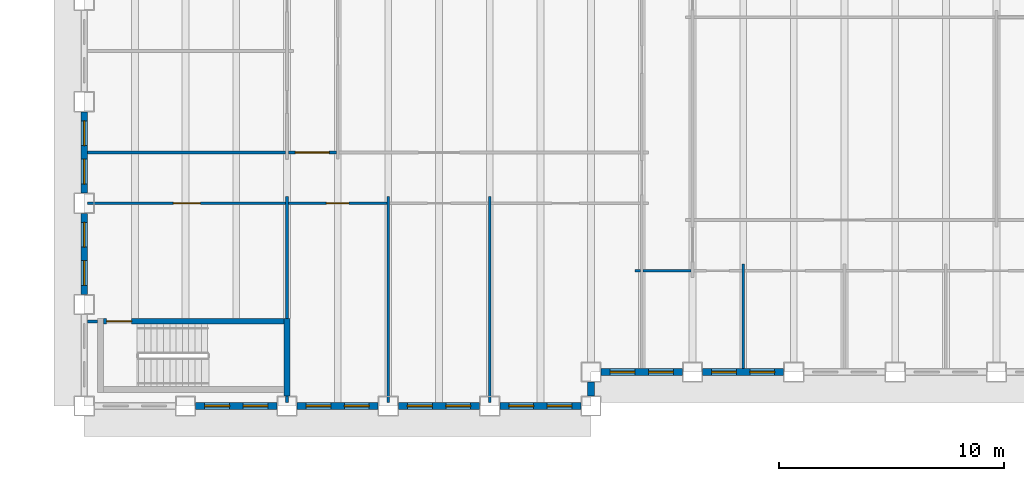
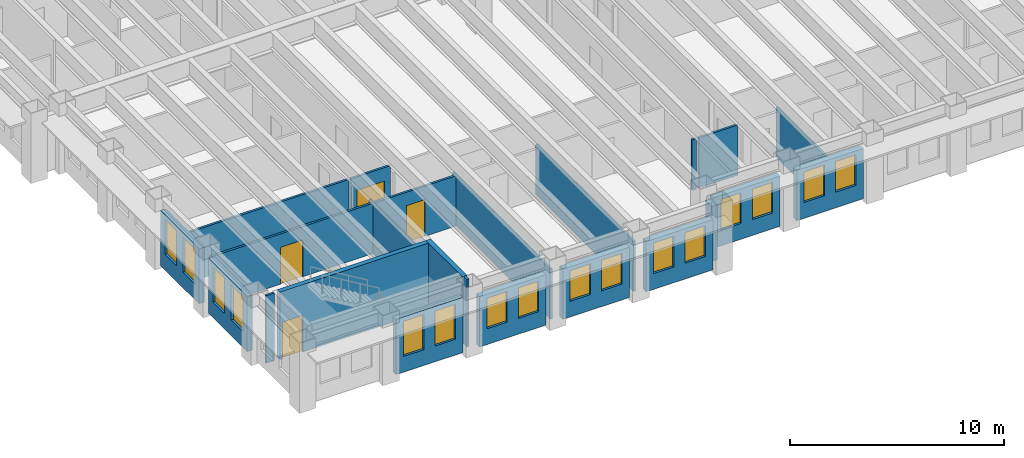
# One storey, part 3 of 16: 23 walls, 16 windows, 4 doors, 20 openings.
"""IFC4 building model written with IfcOpenShell, lengths in metres."""

from ifc_helpers import new_model, si_unit, direction, frame, frame_2d, origin, place, context, subcontext, project, spatial, rectangle, extrude, material, layer, layer_set, type_object, element, fill, save


model = new_model("IFC4")

# Units and contexts
model_context = context("Model", 3, precision=1e-05, world=origin(), true_north=direction((0.0, 1.0)))
body_context = subcontext(model_context, "Body", "Model", "MODEL_VIEW")
ifc_project = project(units=[si_unit("LENGTHUNIT", "METRE"), si_unit("AREAUNIT", "SQUARE_METRE"), si_unit("VOLUMEUNIT", "CUBIC_METRE"), si_unit("PLANEANGLEUNIT", "RADIAN"), si_unit("MASSUNIT", "GRAM", prefix="KILO")], contexts=[model_context])

# Site, building, storey
site_placement = place(None, origin())
site = spatial("IfcSite", under=ifc_project, at=site_placement, CompositionType="ELEMENT")
building_placement = place(site_placement, origin())
building = spatial("IfcBuilding", under=site, at=building_placement, Name="Sennacour Bend Tower", CompositionType="ELEMENT")
storey_placement = place(building_placement, frame((0.0, 0.0, 167.0)))
storey = spatial("IfcBuildingStorey", under=building, at=storey_placement, Name="L38", CompositionType="ELEMENT", Elevation=167.0)

# Walls
ifc_material_1 = material(Name="Plasterboard partition on steel studs", Category="steel")
ifc_layer_1 = layer(ifc_material_1, 0.1201171875, Name="Plasterboard partition on steel studs", Category="steel")
ifc_layer_set_1 = layer_set([ifc_layer_1], Name="Plasterboard partition on steel studs")
wall_type_1 = type_object("IfcWallType", Name="Partition 120", PredefinedType="PARTITIONING", material=ifc_layer_set_1)
wall_1_placement = place(storey_placement, frame((9.0, 0.14990234375, 0.0), z_axis=(0.0, 0.0, 1.0), x_axis=(0.0, 1.0, 0.0)))
element("IfcWall", 1, at=wall_1_placement, inside=storey, type_object=wall_type_1, Name="P-L38-W009a", PredefinedType="PARTITIONING", context=body_context, shape_type="SweptSolid", body=[
    extrude(rectangle(XDim=0.300048828125, YDim=0.1201171875, at=frame_2d((0.14990234375, 0.0))), origin(), (0.0, 0.0, 1.0), 3.85009765625),
])
wall_2_placement = place(storey_placement, frame((9.0, 3.875, 0.0), z_axis=(0.0, 0.0, 1.0), x_axis=(0.0, 1.0, 0.0)))
element("IfcWall", 2, at=wall_2_placement, inside=storey, type_object=wall_type_1, Name="P-L38-W011a", PredefinedType="PARTITIONING", context=body_context, shape_type="SweptSolid", body=[
    extrude(rectangle(XDim=5.425048828125, YDim=0.1201171875, at=frame_2d((2.71240234375, 0.0))), origin(), (0.0, 0.0, 1.0), 2.8701171875),
])
for number, where, z_axis, x_axis, name in (
    (3, (13.5, 0.14990234375, 0.0), (0.0, 0.0, 1.0), (0.0, 1.0, 0.0), "P-L38-W016a"),
    (4, (18.0, 0.14990234375, 0.0), (0.0, 0.0, 1.0), (0.0, 1.0, 0.0), "P-L38-W019a"),
):
    element("IfcWall", number, at=place(storey_placement, frame(where, z_axis=z_axis, x_axis=x_axis)), inside=storey, type_object=wall_type_1, Name=name, PredefinedType="PARTITIONING", context=body_context, shape_type="SweptSolid", body=[
        extrude(rectangle(XDim=9.150146484375, YDim=0.1201171875, at=frame_2d((4.5751953125, 0.0))), origin(), (0.0, 0.0, 1.0), 2.8701171875),
    ])
wall_3_placement = place(storey_placement, frame((29.25, 1.64990234375, 0.0), z_axis=(0.0, 0.0, 1.0), x_axis=(0.0, 1.0, 0.0)))
element("IfcWall", 5, at=wall_3_placement, inside=storey, type_object=wall_type_1, Name="P-L38-W026a", PredefinedType="PARTITIONING", context=body_context, shape_type="SweptSolid", body=[
    extrude(rectangle(XDim=4.650146484375, YDim=0.1201171875, at=frame_2d((2.3251953125, 0.0))), origin(), (0.0, 0.0, 1.0), 2.8701171875),
])
wall_4_placement = place(storey_placement, frame((0.14990234375, 3.75, 0.0), z_axis=(0.0, 0.0, 1.0), x_axis=(1.0, 0.0, 0.0)))
element("IfcWall", 6, at=wall_4_placement, inside=storey, type_object=wall_type_1, Name="P-L38-W054a", PredefinedType="PARTITIONING", context=body_context, shape_type="SweptSolid", body=[
    extrude(rectangle(XDim=0.4501953125, YDim=0.1201171875, at=frame_2d((0.22509765625, 0.0))), origin(), (0.0, 0.0, 1.0), 3.85009765625),
])
wall_5_placement = place(storey_placement, frame((24.449951171875, 6.0, 0.0), z_axis=(0.0, 0.0, 1.0), x_axis=(1.0, 0.0, 0.0)))
element("IfcWall", 7, at=wall_5_placement, inside=storey, type_object=wall_type_1, Name="P-L38-W058aa", PredefinedType="PARTITIONING", context=body_context, shape_type="SweptSolid", body=[
    extrude(rectangle(XDim=0.239990234375, YDim=0.1201171875, at=frame_2d((0.1201171875, 0.0))), origin(), (0.0, 0.0, 1.0), 2.8701171875),
])
wall_6_placement = place(storey_placement, frame((24.81005859375, 6.0, 0.0), z_axis=(0.0, 0.0, 1.0), x_axis=(1.0, 0.0, 0.0)))
element("IfcWall", 8, at=wall_6_placement, inside=storey, type_object=wall_type_1, Name="P-L38-W058ab", PredefinedType="PARTITIONING", context=body_context, shape_type="SweptSolid", body=[
    extrude(rectangle(XDim=2.1298828125, YDim=0.1201171875, at=frame_2d((1.06494140625, 0.0))), origin(), (0.0, 0.0, 1.0), 2.8701171875),
])

# Wall, opening, door
wall_7_placement = place(storey_placement, frame((9.06005859375, 9.0, 0.0), z_axis=(0.0, 0.0, 1.0), x_axis=(1.0, 0.0, 0.0)))
wall_7 = element("IfcWall", 9, at=wall_7_placement, inside=storey, type_object=wall_type_1, Name="P-L38-W061ab", PredefinedType="PARTITIONING", context=body_context, shape_type="SweptSolid", body=[
    extrude(rectangle(XDim=4.3798828125, YDim=0.1201171875, at=frame_2d((2.18994140625, 0.0))), origin(), (0.0, 0.0, 1.0), 2.8701171875),
])
opening_1_placement = place(wall_7_placement, frame((1.68994140625, 0.0, 0.0)))
opening_1 = element("IfcOpeningElement", 10, at=opening_1_placement, cuts=wall_7, Name="Opening OD2", PredefinedType="OPENING", context=body_context, shape_type="SweptSolid", body=[
    extrude(rectangle(XDim=1.0, YDim=2.10009765625, at=frame_2d((0.5, 1.050048828125))), frame((0.0, 0.070068359375, 0.0), z_axis=(0.0, -1.0, 0.0), x_axis=(1.0, 0.0, 0.0)), (0.0, 0.0, 1.0), 0.14013671875),
])
ifc_material_2 = material(Name="Timber", Category="wood")
door_type_1 = type_object("IfcDoorType", Name="DR-OFFICE-1000", OperationType="NOTDEFINED", PredefinedType="DOOR", material=ifc_material_2)
door_1_placement = place(opening_1_placement, origin())
door_1 = element("IfcDoor", 11, at=door_1_placement, inside=storey, type_object=door_type_1, Name="Door", OperationType="SINGLE_SWING_LEFT", OverallHeight=2.10009765625, OverallWidth=1.0, PredefinedType="DOOR", context=body_context, shape_type="SweptSolid", body=[
    extrude(rectangle(XDim=1.0, YDim=2.10009765625, at=frame_2d((0.5, 1.050048828125))), frame((0.0, 0.02490234375, 0.0), z_axis=(0.0, -1.0, 0.0), x_axis=(1.0, 0.0, 0.0)), (0.0, 0.0, 1.0), 0.050048828125),
])
fill(opening_1, door_1)

# Wall
wall_8_placement = place(storey_placement, frame((0.14990234375, 11.25, 0.0), z_axis=(0.0, 0.0, 1.0), x_axis=(1.0, 0.0, 0.0)))
element("IfcWall", 12, at=wall_8_placement, inside=storey, type_object=wall_type_1, Name="P-L38-W063aa", PredefinedType="PARTITIONING", context=body_context, shape_type="SweptSolid", body=[
    extrude(rectangle(XDim=8.7900390625, YDim=0.1201171875, at=frame_2d((4.39501953125, 0.0))), origin(), (0.0, 0.0, 1.0), 2.8701171875),
])

# Wall, opening, door
ifc_layer_2 = layer(ifc_material_1, 0.1201171875, Name="Plasterboard partition on steel studs", Category="steel")
ifc_layer_set_2 = layer_set([ifc_layer_2], Name="Plasterboard partition on steel studs")
wall_type_2 = type_object("IfcWallType", Name="Partition 120 EI 30", PredefinedType="PARTITIONING", material=ifc_layer_set_2)
wall_9_placement = place(storey_placement, frame((0.14990234375, 9.0, 0.0), z_axis=(0.0, 0.0, 1.0), x_axis=(1.0, 0.0, 0.0)))
wall_9 = element("IfcWall", 13, at=wall_9_placement, inside=storey, type_object=wall_type_2, Name="P-L38-W061aa", PredefinedType="PARTITIONING", context=body_context, shape_type="SweptSolid", body=[
    extrude(rectangle(XDim=8.7900390625, YDim=0.1201171875, at=frame_2d((4.39501953125, 0.0))), origin(), (0.0, 0.0, 1.0), 2.8701171875),
])
opening_2_placement = place(wall_9_placement, frame((3.80517578125, 0.0, 0.0)))
opening_2 = element("IfcOpeningElement", 14, at=opening_2_placement, cuts=wall_9, Name="Opening KD2", PredefinedType="OPENING", context=body_context, shape_type="SweptSolid", body=[
    extrude(rectangle(XDim=1.199951171875, YDim=2.10009765625, at=frame_2d((0.60009765625, 1.050048828125))), frame((0.0, 0.070068359375, 0.0), z_axis=(0.0, -1.0, 0.0), x_axis=(1.0, 0.0, 0.0)), (0.0, 0.0, 1.0), 0.14013671875),
])
ifc_material_3 = material(Name="Painted steel", Category="steel")
door_type_2 = type_object("IfcDoorType", Name="DR-CORRIDOR-1200", OperationType="NOTDEFINED", PredefinedType="DOOR", material=ifc_material_3)
door_2_placement = place(opening_2_placement, origin())
door_2 = element("IfcDoor", 15, at=door_2_placement, inside=storey, type_object=door_type_2, Name="Door", OperationType="SINGLE_SWING_LEFT", OverallHeight=2.10009765625, OverallWidth=1.199951171875, PredefinedType="DOOR", context=body_context, shape_type="SweptSolid", body=[
    extrude(rectangle(XDim=1.199951171875, YDim=2.10009765625, at=frame_2d((0.60009765625, 1.050048828125))), frame((0.0, 0.02490234375, 0.0), z_axis=(0.0, -1.0, 0.0), x_axis=(1.0, 0.0, 0.0)), (0.0, 0.0, 1.0), 0.050048828125),
])
fill(opening_2, door_2)

wall_10_placement = place(storey_placement, frame((9.06005859375, 11.25, 0.0), z_axis=(0.0, 0.0, 1.0), x_axis=(1.0, 0.0, 0.0)))
wall_10 = element("IfcWall", 16, at=wall_10_placement, inside=storey, type_object=wall_type_2, Name="P-L38-W063ab", PredefinedType="PARTITIONING", context=body_context, shape_type="SweptSolid", body=[
    extrude(rectangle(XDim=2.1298828125, YDim=0.1201171875, at=frame_2d((1.06494140625, 0.0))), origin(), (0.0, 0.0, 1.0), 2.8701171875),
])
opening_3_placement = place(wall_10_placement, frame((0.31494140625, 0.0, 0.0)))
opening_3 = element("IfcOpeningElement", 17, at=opening_3_placement, cuts=wall_10, Name="Opening KD", PredefinedType="OPENING", context=body_context, shape_type="SweptSolid", body=[
    extrude(rectangle(XDim=1.5, YDim=2.10009765625, at=frame_2d((0.75, 1.050048828125))), frame((0.0, 0.070068359375, 0.0), z_axis=(0.0, -1.0, 0.0), x_axis=(1.0, 0.0, 0.0)), (0.0, 0.0, 1.0), 0.14013671875),
])
door_type_3 = type_object("IfcDoorType", Name="DR-CORRIDOR-1500", OperationType="NOTDEFINED", PredefinedType="DOOR", material=ifc_material_3)
door_3_placement = place(opening_3_placement, origin())
door_3 = element("IfcDoor", 18, at=door_3_placement, inside=storey, type_object=door_type_3, Name="Door", OperationType="SINGLE_SWING_LEFT", OverallHeight=2.10009765625, OverallWidth=1.5, PredefinedType="DOOR", context=body_context, shape_type="SweptSolid", body=[
    extrude(rectangle(XDim=1.5, YDim=2.10009765625, at=frame_2d((0.75, 1.050048828125))), frame((0.0, 0.02490234375, 0.0), z_axis=(0.0, -1.0, 0.0), x_axis=(1.0, 0.0, 0.0)), (0.0, 0.0, 1.0), 0.050048828125),
])
fill(opening_3, door_3)

# Wall, openings, windows
ifc_material_4 = material(Name="Warm limestone cladding", Category="masonry")
ifc_layer_3 = layer(ifc_material_4, 0.050048828125, Name="Warm limestone cladding", Category="masonry")
ifc_material_5 = material(Name="Precast concrete C40/50", Category="concrete")
ifc_layer_4 = layer(ifc_material_5, 0.25, Name="Precast concrete C40/50", Category="concrete")
ifc_layer_set_3 = layer_set([ifc_layer_3, ifc_layer_4], Name="Precast concrete C40/50 with limestone cladding")
wall_type_3 = type_object("IfcWallType", Name="STONE-CLAD PRECAST SPANDREL 300", PredefinedType="STANDARD", material=ifc_layer_set_3)
wall_11_placement = place(storey_placement, frame((4.949951171875, 0.0, 0.0), z_axis=(0.0, 0.0, 1.0), x_axis=(1.0, 0.0, 0.0)))
wall_11 = element("IfcWall", 19, at=wall_11_placement, inside=storey, type_object=wall_type_3, Name="Stone spandrel and pier wall L38 00.01", PredefinedType="STANDARD", context=body_context, shape_type="SweptSolid", body=[
    extrude(rectangle(XDim=3.60009765625, YDim=0.300048828125, at=frame_2d((1.800048828125, 0.0))), origin(), (0.0, 0.0, 1.0), 3.14892578125),
])
opening_4_placement = place(wall_11_placement, frame((0.39990234375, 0.0, 0.89990234375)))
opening_4 = element("IfcOpeningElement", 20, at=opening_4_placement, cuts=wall_11, Name="Opening W19", PredefinedType="OPENING", context=body_context, shape_type="SweptSolid", body=[
    extrude(rectangle(XDim=1.10009765625, YDim=2.0, at=frame_2d((0.550048828125, 1.0))), frame((0.0, 0.16015625, 0.0), z_axis=(0.0, -1.0, 0.0), x_axis=(1.0, 0.0, 0.0)), (0.0, 0.0, 1.0), 0.320068359375),
])
opening_5_placement = place(wall_11_placement, frame((2.10009765625, 0.0, 0.89990234375)))
opening_5 = element("IfcOpeningElement", 21, at=opening_5_placement, cuts=wall_11, Name="Opening W19", PredefinedType="OPENING", context=body_context, shape_type="SweptSolid", body=[
    extrude(rectangle(XDim=1.10009765625, YDim=2.0, at=frame_2d((0.550048828125, 1.0))), frame((0.0, 0.16015625, 0.0), z_axis=(0.0, -1.0, 0.0), x_axis=(1.0, 0.0, 0.0)), (0.0, 0.0, 1.0), 0.320068359375),
])
ifc_material_6 = material(Name="Clear low-emissivity glass", Category="glass")
window_type_1 = type_object("IfcWindowType", Name="WIN-RIBBON-1100x2000", PartitioningType="SINGLE_PANEL", PredefinedType="WINDOW", material=ifc_material_6)
window_1_placement = place(opening_4_placement, origin())
window_1 = element("IfcWindow", 22, at=window_1_placement, inside=storey, type_object=window_type_1, Name="Ribbon window L38 00.01.0", OverallHeight=2.0, OverallWidth=1.10009765625, PartitioningType="SINGLE_PANEL", PredefinedType="WINDOW", context=body_context, shape_type="SweptSolid", body=[
    extrude(rectangle(XDim=1.10009765625, YDim=2.0, at=frame_2d((0.550048828125, 1.0))), frame((0.0, 0.030029296875, 0.0), z_axis=(0.0, -1.0, 0.0), x_axis=(1.0, 0.0, 0.0)), (0.0, 0.0, 1.0), 0.06005859375),
])
fill(opening_4, window_1)
window_2_placement = place(opening_5_placement, origin())
window_2 = element("IfcWindow", 23, at=window_2_placement, inside=storey, type_object=window_type_1, Name="Ribbon window L38 00.01.1", OverallHeight=2.0, OverallWidth=1.10009765625, PartitioningType="SINGLE_PANEL", PredefinedType="WINDOW", context=body_context, shape_type="SweptSolid", body=[
    extrude(rectangle(XDim=1.10009765625, YDim=2.0, at=frame_2d((0.550048828125, 1.0))), frame((0.0, 0.030029296875, 0.0), z_axis=(0.0, -1.0, 0.0), x_axis=(1.0, 0.0, 0.0)), (0.0, 0.0, 1.0), 0.06005859375),
])
fill(opening_5, window_2)

wall_12_placement = place(storey_placement, frame((9.449951171875, 0.0, 0.0), z_axis=(0.0, 0.0, 1.0), x_axis=(1.0, 0.0, 0.0)))
wall_12 = element("IfcWall", 24, at=wall_12_placement, inside=storey, type_object=wall_type_3, Name="Stone spandrel and pier wall L38 00.02", PredefinedType="STANDARD", context=body_context, shape_type="SweptSolid", body=[
    extrude(rectangle(XDim=3.60009765625, YDim=0.300048828125, at=frame_2d((1.800048828125, 0.0))), origin(), (0.0, 0.0, 1.0), 2.8701171875),
])
opening_6_placement = place(wall_12_placement, frame((0.39990234375, 0.0, 0.89990234375)))
opening_6 = element("IfcOpeningElement", 25, at=opening_6_placement, cuts=wall_12, Name="Opening W17", PredefinedType="OPENING", context=body_context, shape_type="SweptSolid", body=[
    extrude(rectangle(XDim=1.10009765625, YDim=1.75, at=frame_2d((0.550048828125, 0.875))), frame((0.0, 0.16015625, 0.0), z_axis=(0.0, -1.0, 0.0), x_axis=(1.0, 0.0, 0.0)), (0.0, 0.0, 1.0), 0.320068359375),
])
opening_7_placement = place(wall_12_placement, frame((2.10009765625, 0.0, 0.89990234375)))
opening_7 = element("IfcOpeningElement", 26, at=opening_7_placement, cuts=wall_12, Name="Opening W17", PredefinedType="OPENING", context=body_context, shape_type="SweptSolid", body=[
    extrude(rectangle(XDim=1.10009765625, YDim=1.75, at=frame_2d((0.550048828125, 0.875))), frame((0.0, 0.16015625, 0.0), z_axis=(0.0, -1.0, 0.0), x_axis=(1.0, 0.0, 0.0)), (0.0, 0.0, 1.0), 0.320068359375),
])
window_type_2 = type_object("IfcWindowType", Name="WIN-RIBBON-1100x1750", PartitioningType="SINGLE_PANEL", PredefinedType="WINDOW", material=ifc_material_6)
window_3_placement = place(opening_6_placement, origin())
window_3 = element("IfcWindow", 27, at=window_3_placement, inside=storey, type_object=window_type_2, Name="Ribbon window L38 00.02.0", OverallHeight=1.75, OverallWidth=1.10009765625, PartitioningType="SINGLE_PANEL", PredefinedType="WINDOW", context=body_context, shape_type="SweptSolid", body=[
    extrude(rectangle(XDim=1.10009765625, YDim=1.75, at=frame_2d((0.550048828125, 0.875))), frame((0.0, 0.030029296875, 0.0), z_axis=(0.0, -1.0, 0.0), x_axis=(1.0, 0.0, 0.0)), (0.0, 0.0, 1.0), 0.06005859375),
])
fill(opening_6, window_3)
window_4_placement = place(opening_7_placement, origin())
window_4 = element("IfcWindow", 28, at=window_4_placement, inside=storey, type_object=window_type_2, Name="Ribbon window L38 00.02.1", OverallHeight=1.75, OverallWidth=1.10009765625, PartitioningType="SINGLE_PANEL", PredefinedType="WINDOW", context=body_context, shape_type="SweptSolid", body=[
    extrude(rectangle(XDim=1.10009765625, YDim=1.75, at=frame_2d((0.550048828125, 0.875))), frame((0.0, 0.030029296875, 0.0), z_axis=(0.0, -1.0, 0.0), x_axis=(1.0, 0.0, 0.0)), (0.0, 0.0, 1.0), 0.06005859375),
])
fill(opening_7, window_4)

wall_13_placement = place(storey_placement, frame((13.949951171875, 0.0, 0.0), z_axis=(0.0, 0.0, 1.0), x_axis=(1.0, 0.0, 0.0)))
wall_13 = element("IfcWall", 29, at=wall_13_placement, inside=storey, type_object=wall_type_3, Name="Stone spandrel and pier wall L38 00.03", PredefinedType="STANDARD", context=body_context, shape_type="SweptSolid", body=[
    extrude(rectangle(XDim=3.60009765625, YDim=0.300048828125, at=frame_2d((1.800048828125, 0.0))), origin(), (0.0, 0.0, 1.0), 2.8701171875),
])
opening_8_placement = place(wall_13_placement, frame((0.39990234375, 0.0, 0.89990234375)))
opening_8 = element("IfcOpeningElement", 30, at=opening_8_placement, cuts=wall_13, Name="Opening W17", PredefinedType="OPENING", context=body_context, shape_type="SweptSolid", body=[
    extrude(rectangle(XDim=1.10009765625, YDim=1.75, at=frame_2d((0.550048828125, 0.875))), frame((0.0, 0.16015625, 0.0), z_axis=(0.0, -1.0, 0.0), x_axis=(1.0, 0.0, 0.0)), (0.0, 0.0, 1.0), 0.320068359375),
])
opening_9_placement = place(wall_13_placement, frame((2.10009765625, 0.0, 0.89990234375)))
opening_9 = element("IfcOpeningElement", 31, at=opening_9_placement, cuts=wall_13, Name="Opening W17", PredefinedType="OPENING", context=body_context, shape_type="SweptSolid", body=[
    extrude(rectangle(XDim=1.10009765625, YDim=1.75, at=frame_2d((0.550048828125, 0.875))), frame((0.0, 0.16015625, 0.0), z_axis=(0.0, -1.0, 0.0), x_axis=(1.0, 0.0, 0.0)), (0.0, 0.0, 1.0), 0.320068359375),
])
window_5_placement = place(opening_8_placement, origin())
window_5 = element("IfcWindow", 32, at=window_5_placement, inside=storey, type_object=window_type_2, Name="Ribbon window L38 00.03.0", OverallHeight=1.75, OverallWidth=1.10009765625, PartitioningType="SINGLE_PANEL", PredefinedType="WINDOW", context=body_context, shape_type="SweptSolid", body=[
    extrude(rectangle(XDim=1.10009765625, YDim=1.75, at=frame_2d((0.550048828125, 0.875))), frame((0.0, 0.030029296875, 0.0), z_axis=(0.0, -1.0, 0.0), x_axis=(1.0, 0.0, 0.0)), (0.0, 0.0, 1.0), 0.06005859375),
])
fill(opening_8, window_5)
window_6_placement = place(opening_9_placement, origin())
window_6 = element("IfcWindow", 33, at=window_6_placement, inside=storey, type_object=window_type_2, Name="Ribbon window L38 00.03.1", OverallHeight=1.75, OverallWidth=1.10009765625, PartitioningType="SINGLE_PANEL", PredefinedType="WINDOW", context=body_context, shape_type="SweptSolid", body=[
    extrude(rectangle(XDim=1.10009765625, YDim=1.75, at=frame_2d((0.550048828125, 0.875))), frame((0.0, 0.030029296875, 0.0), z_axis=(0.0, -1.0, 0.0), x_axis=(1.0, 0.0, 0.0)), (0.0, 0.0, 1.0), 0.06005859375),
])
fill(opening_9, window_6)

wall_14_placement = place(storey_placement, frame((18.449951171875, 0.0, 0.0), z_axis=(0.0, 0.0, 1.0), x_axis=(1.0, 0.0, 0.0)))
wall_14 = element("IfcWall", 34, at=wall_14_placement, inside=storey, type_object=wall_type_3, Name="Stone spandrel and pier wall L38 00.04", PredefinedType="STANDARD", context=body_context, shape_type="SweptSolid", body=[
    extrude(rectangle(XDim=3.60009765625, YDim=0.300048828125, at=frame_2d((1.800048828125, 0.0))), origin(), (0.0, 0.0, 1.0), 2.8701171875),
])
opening_10_placement = place(wall_14_placement, frame((0.39990234375, 0.0, 0.89990234375)))
opening_10 = element("IfcOpeningElement", 35, at=opening_10_placement, cuts=wall_14, Name="Opening W17", PredefinedType="OPENING", context=body_context, shape_type="SweptSolid", body=[
    extrude(rectangle(XDim=1.10009765625, YDim=1.75, at=frame_2d((0.550048828125, 0.875))), frame((0.0, 0.16015625, 0.0), z_axis=(0.0, -1.0, 0.0), x_axis=(1.0, 0.0, 0.0)), (0.0, 0.0, 1.0), 0.320068359375),
])
opening_11_placement = place(wall_14_placement, frame((2.10009765625, 0.0, 0.89990234375)))
opening_11 = element("IfcOpeningElement", 36, at=opening_11_placement, cuts=wall_14, Name="Opening W17", PredefinedType="OPENING", context=body_context, shape_type="SweptSolid", body=[
    extrude(rectangle(XDim=1.10009765625, YDim=1.75, at=frame_2d((0.550048828125, 0.875))), frame((0.0, 0.16015625, 0.0), z_axis=(0.0, -1.0, 0.0), x_axis=(1.0, 0.0, 0.0)), (0.0, 0.0, 1.0), 0.320068359375),
])
window_7_placement = place(opening_10_placement, origin())
window_7 = element("IfcWindow", 37, at=window_7_placement, inside=storey, type_object=window_type_2, Name="Ribbon window L38 00.04.0", OverallHeight=1.75, OverallWidth=1.10009765625, PartitioningType="SINGLE_PANEL", PredefinedType="WINDOW", context=body_context, shape_type="SweptSolid", body=[
    extrude(rectangle(XDim=1.10009765625, YDim=1.75, at=frame_2d((0.550048828125, 0.875))), frame((0.0, 0.030029296875, 0.0), z_axis=(0.0, -1.0, 0.0), x_axis=(1.0, 0.0, 0.0)), (0.0, 0.0, 1.0), 0.06005859375),
])
fill(opening_10, window_7)
window_8_placement = place(opening_11_placement, origin())
window_8 = element("IfcWindow", 38, at=window_8_placement, inside=storey, type_object=window_type_2, Name="Ribbon window L38 00.04.1", OverallHeight=1.75, OverallWidth=1.10009765625, PartitioningType="SINGLE_PANEL", PredefinedType="WINDOW", context=body_context, shape_type="SweptSolid", body=[
    extrude(rectangle(XDim=1.10009765625, YDim=1.75, at=frame_2d((0.550048828125, 0.875))), frame((0.0, 0.030029296875, 0.0), z_axis=(0.0, -1.0, 0.0), x_axis=(1.0, 0.0, 0.0)), (0.0, 0.0, 1.0), 0.06005859375),
])
fill(opening_11, window_8)

# Wall
wall_15_placement = place(storey_placement, frame((22.5, 0.449951171875, 0.0), z_axis=(0.0, 0.0, 1.0), x_axis=(0.0, 1.0, 0.0)))
element("IfcWall", 39, at=wall_15_placement, inside=storey, type_object=wall_type_3, Name="Stone spandrel and pier wall L38 01.00", PredefinedType="STANDARD", context=body_context, shape_type="SweptSolid", body=[
    extrude(rectangle(XDim=0.60009765625, YDim=0.300048828125, at=frame_2d((0.300048828125, 0.0))), origin(), (0.0, 0.0, 1.0), 3.14892578125),
])

# Wall, openings, windows
wall_16_placement = place(storey_placement, frame((22.949951171875, 1.5, 0.0), z_axis=(0.0, 0.0, 1.0), x_axis=(1.0, 0.0, 0.0)))
wall_16 = element("IfcWall", 40, at=wall_16_placement, inside=storey, type_object=wall_type_3, Name="Stone spandrel and pier wall L38 02.00", PredefinedType="STANDARD", context=body_context, shape_type="SweptSolid", body=[
    extrude(rectangle(XDim=3.60009765625, YDim=0.300048828125, at=frame_2d((1.800048828125, 0.0))), origin(), (0.0, 0.0, 1.0), 2.8701171875),
])
opening_12_placement = place(wall_16_placement, frame((0.39990234375, 0.0, 0.89990234375)))
opening_12 = element("IfcOpeningElement", 41, at=opening_12_placement, cuts=wall_16, Name="Opening W17", PredefinedType="OPENING", context=body_context, shape_type="SweptSolid", body=[
    extrude(rectangle(XDim=1.10009765625, YDim=1.75, at=frame_2d((0.550048828125, 0.875))), frame((0.0, 0.16015625, 0.0), z_axis=(0.0, -1.0, 0.0), x_axis=(1.0, 0.0, 0.0)), (0.0, 0.0, 1.0), 0.320068359375),
])
opening_13_placement = place(wall_16_placement, frame((2.10009765625, 0.0, 0.89990234375)))
opening_13 = element("IfcOpeningElement", 42, at=opening_13_placement, cuts=wall_16, Name="Opening W17", PredefinedType="OPENING", context=body_context, shape_type="SweptSolid", body=[
    extrude(rectangle(XDim=1.10009765625, YDim=1.75, at=frame_2d((0.550048828125, 0.875))), frame((0.0, 0.16015625, 0.0), z_axis=(0.0, -1.0, 0.0), x_axis=(1.0, 0.0, 0.0)), (0.0, 0.0, 1.0), 0.320068359375),
])
window_9_placement = place(opening_12_placement, origin())
window_9 = element("IfcWindow", 43, at=window_9_placement, inside=storey, type_object=window_type_2, Name="Ribbon window L38 02.00.0", OverallHeight=1.75, OverallWidth=1.10009765625, PartitioningType="SINGLE_PANEL", PredefinedType="WINDOW", context=body_context, shape_type="SweptSolid", body=[
    extrude(rectangle(XDim=1.10009765625, YDim=1.75, at=frame_2d((0.550048828125, 0.875))), frame((0.0, 0.030029296875, 0.0), z_axis=(0.0, -1.0, 0.0), x_axis=(1.0, 0.0, 0.0)), (0.0, 0.0, 1.0), 0.06005859375),
])
fill(opening_12, window_9)
window_10_placement = place(opening_13_placement, origin())
window_10 = element("IfcWindow", 44, at=window_10_placement, inside=storey, type_object=window_type_2, Name="Ribbon window L38 02.00.1", OverallHeight=1.75, OverallWidth=1.10009765625, PartitioningType="SINGLE_PANEL", PredefinedType="WINDOW", context=body_context, shape_type="SweptSolid", body=[
    extrude(rectangle(XDim=1.10009765625, YDim=1.75, at=frame_2d((0.550048828125, 0.875))), frame((0.0, 0.030029296875, 0.0), z_axis=(0.0, -1.0, 0.0), x_axis=(1.0, 0.0, 0.0)), (0.0, 0.0, 1.0), 0.06005859375),
])
fill(opening_13, window_10)

wall_17_placement = place(storey_placement, frame((27.449951171875, 1.5, 0.0), z_axis=(0.0, 0.0, 1.0), x_axis=(1.0, 0.0, 0.0)))
wall_17 = element("IfcWall", 45, at=wall_17_placement, inside=storey, type_object=wall_type_3, Name="Stone spandrel and pier wall L38 02.01", PredefinedType="STANDARD", context=body_context, shape_type="SweptSolid", body=[
    extrude(rectangle(XDim=3.60009765625, YDim=0.300048828125, at=frame_2d((1.800048828125, 0.0))), origin(), (0.0, 0.0, 1.0), 2.8701171875),
])
opening_14_placement = place(wall_17_placement, frame((0.39990234375, 0.0, 0.89990234375)))
opening_14 = element("IfcOpeningElement", 46, at=opening_14_placement, cuts=wall_17, Name="Opening W17", PredefinedType="OPENING", context=body_context, shape_type="SweptSolid", body=[
    extrude(rectangle(XDim=1.10009765625, YDim=1.75, at=frame_2d((0.550048828125, 0.875))), frame((0.0, 0.16015625, 0.0), z_axis=(0.0, -1.0, 0.0), x_axis=(1.0, 0.0, 0.0)), (0.0, 0.0, 1.0), 0.320068359375),
])
opening_15_placement = place(wall_17_placement, frame((2.10009765625, 0.0, 0.89990234375)))
opening_15 = element("IfcOpeningElement", 47, at=opening_15_placement, cuts=wall_17, Name="Opening W17", PredefinedType="OPENING", context=body_context, shape_type="SweptSolid", body=[
    extrude(rectangle(XDim=1.10009765625, YDim=1.75, at=frame_2d((0.550048828125, 0.875))), frame((0.0, 0.16015625, 0.0), z_axis=(0.0, -1.0, 0.0), x_axis=(1.0, 0.0, 0.0)), (0.0, 0.0, 1.0), 0.320068359375),
])
window_11_placement = place(opening_14_placement, origin())
window_11 = element("IfcWindow", 48, at=window_11_placement, inside=storey, type_object=window_type_2, Name="Ribbon window L38 02.01.0", OverallHeight=1.75, OverallWidth=1.10009765625, PartitioningType="SINGLE_PANEL", PredefinedType="WINDOW", context=body_context, shape_type="SweptSolid", body=[
    extrude(rectangle(XDim=1.10009765625, YDim=1.75, at=frame_2d((0.550048828125, 0.875))), frame((0.0, 0.030029296875, 0.0), z_axis=(0.0, -1.0, 0.0), x_axis=(1.0, 0.0, 0.0)), (0.0, 0.0, 1.0), 0.06005859375),
])
fill(opening_14, window_11)
window_12_placement = place(opening_15_placement, origin())
window_12 = element("IfcWindow", 49, at=window_12_placement, inside=storey, type_object=window_type_2, Name="Ribbon window L38 02.01.1", OverallHeight=1.75, OverallWidth=1.10009765625, PartitioningType="SINGLE_PANEL", PredefinedType="WINDOW", context=body_context, shape_type="SweptSolid", body=[
    extrude(rectangle(XDim=1.10009765625, YDim=1.75, at=frame_2d((0.550048828125, 0.875))), frame((0.0, 0.030029296875, 0.0), z_axis=(0.0, -1.0, 0.0), x_axis=(1.0, 0.0, 0.0)), (0.0, 0.0, 1.0), 0.06005859375),
])
fill(opening_15, window_12)

wall_18_placement = place(storey_placement, frame((0.0, 13.050048828125, 0.0), z_axis=(0.0, 0.0, 1.0), x_axis=(0.0, -1.0, 0.0)))
wall_18 = element("IfcWall", 50, at=wall_18_placement, inside=storey, type_object=wall_type_3, Name="Stone spandrel and pier wall L38 23.02", PredefinedType="STANDARD", context=body_context, shape_type="SweptSolid", body=[
    extrude(rectangle(XDim=3.60009765625, YDim=0.300048828125, at=frame_2d((1.800048828125, 0.0))), origin(), (0.0, 0.0, 1.0), 3.14892578125),
])
opening_16_placement = place(wall_18_placement, frame((0.39990234375, 0.0, 0.89990234375)))
opening_16 = element("IfcOpeningElement", 51, at=opening_16_placement, cuts=wall_18, Name="Opening W19", PredefinedType="OPENING", context=body_context, shape_type="SweptSolid", body=[
    extrude(rectangle(XDim=1.10009765625, YDim=2.0, at=frame_2d((0.550048828125, 1.0))), frame((0.0, 0.16015625, 0.0), z_axis=(0.0, -1.0, 0.0), x_axis=(1.0, 0.0, 0.0)), (0.0, 0.0, 1.0), 0.320068359375),
])
opening_17_placement = place(wall_18_placement, frame((2.10009765625, 0.0, 0.89990234375)))
opening_17 = element("IfcOpeningElement", 52, at=opening_17_placement, cuts=wall_18, Name="Opening W19", PredefinedType="OPENING", context=body_context, shape_type="SweptSolid", body=[
    extrude(rectangle(XDim=1.10009765625, YDim=2.0, at=frame_2d((0.550048828125, 1.0))), frame((0.0, 0.16015625, 0.0), z_axis=(0.0, -1.0, 0.0), x_axis=(1.0, 0.0, 0.0)), (0.0, 0.0, 1.0), 0.320068359375),
])
window_13_placement = place(opening_16_placement, origin())
window_13 = element("IfcWindow", 53, at=window_13_placement, inside=storey, type_object=window_type_1, Name="Ribbon window L38 23.02.0", OverallHeight=2.0, OverallWidth=1.10009765625, PartitioningType="SINGLE_PANEL", PredefinedType="WINDOW", context=body_context, shape_type="SweptSolid", body=[
    extrude(rectangle(XDim=1.10009765625, YDim=2.0, at=frame_2d((0.550048828125, 1.0))), frame((0.0, 0.030029296875, 0.0), z_axis=(0.0, -1.0, 0.0), x_axis=(1.0, 0.0, 0.0)), (0.0, 0.0, 1.0), 0.06005859375),
])
fill(opening_16, window_13)
window_14_placement = place(opening_17_placement, origin())
window_14 = element("IfcWindow", 54, at=window_14_placement, inside=storey, type_object=window_type_1, Name="Ribbon window L38 23.02.1", OverallHeight=2.0, OverallWidth=1.10009765625, PartitioningType="SINGLE_PANEL", PredefinedType="WINDOW", context=body_context, shape_type="SweptSolid", body=[
    extrude(rectangle(XDim=1.10009765625, YDim=2.0, at=frame_2d((0.550048828125, 1.0))), frame((0.0, 0.030029296875, 0.0), z_axis=(0.0, -1.0, 0.0), x_axis=(1.0, 0.0, 0.0)), (0.0, 0.0, 1.0), 0.06005859375),
])
fill(opening_17, window_14)

wall_19_placement = place(storey_placement, frame((0.0, 8.550048828125, 0.0), z_axis=(0.0, 0.0, 1.0), x_axis=(0.0, -1.0, 0.0)))
wall_19 = element("IfcWall", 55, at=wall_19_placement, inside=storey, type_object=wall_type_3, Name="Stone spandrel and pier wall L38 23.03", PredefinedType="STANDARD", context=body_context, shape_type="SweptSolid", body=[
    extrude(rectangle(XDim=3.60009765625, YDim=0.300048828125, at=frame_2d((1.800048828125, 0.0))), origin(), (0.0, 0.0, 1.0), 3.14892578125),
])
opening_18_placement = place(wall_19_placement, frame((0.39990234375, 0.0, 0.89990234375)))
opening_18 = element("IfcOpeningElement", 56, at=opening_18_placement, cuts=wall_19, Name="Opening W19", PredefinedType="OPENING", context=body_context, shape_type="SweptSolid", body=[
    extrude(rectangle(XDim=1.10009765625, YDim=2.0, at=frame_2d((0.550048828125, 1.0))), frame((0.0, 0.16015625, 0.0), z_axis=(0.0, -1.0, 0.0), x_axis=(1.0, 0.0, 0.0)), (0.0, 0.0, 1.0), 0.320068359375),
])
opening_19_placement = place(wall_19_placement, frame((2.10009765625, 0.0, 0.89990234375)))
opening_19 = element("IfcOpeningElement", 57, at=opening_19_placement, cuts=wall_19, Name="Opening W19", PredefinedType="OPENING", context=body_context, shape_type="SweptSolid", body=[
    extrude(rectangle(XDim=1.10009765625, YDim=2.0, at=frame_2d((0.550048828125, 1.0))), frame((0.0, 0.16015625, 0.0), z_axis=(0.0, -1.0, 0.0), x_axis=(1.0, 0.0, 0.0)), (0.0, 0.0, 1.0), 0.320068359375),
])
window_15_placement = place(opening_18_placement, origin())
window_15 = element("IfcWindow", 58, at=window_15_placement, inside=storey, type_object=window_type_1, Name="Ribbon window L38 23.03.0", OverallHeight=2.0, OverallWidth=1.10009765625, PartitioningType="SINGLE_PANEL", PredefinedType="WINDOW", context=body_context, shape_type="SweptSolid", body=[
    extrude(rectangle(XDim=1.10009765625, YDim=2.0, at=frame_2d((0.550048828125, 1.0))), frame((0.0, 0.030029296875, 0.0), z_axis=(0.0, -1.0, 0.0), x_axis=(1.0, 0.0, 0.0)), (0.0, 0.0, 1.0), 0.06005859375),
])
fill(opening_18, window_15)
window_16_placement = place(opening_19_placement, origin())
window_16 = element("IfcWindow", 59, at=window_16_placement, inside=storey, type_object=window_type_1, Name="Ribbon window L38 23.03.1", OverallHeight=2.0, OverallWidth=1.10009765625, PartitioningType="SINGLE_PANEL", PredefinedType="WINDOW", context=body_context, shape_type="SweptSolid", body=[
    extrude(rectangle(XDim=1.10009765625, YDim=2.0, at=frame_2d((0.550048828125, 1.0))), frame((0.0, 0.030029296875, 0.0), z_axis=(0.0, -1.0, 0.0), x_axis=(1.0, 0.0, 0.0)), (0.0, 0.0, 1.0), 0.06005859375),
])
fill(opening_19, window_16)

# Wall
ifc_material_7 = material(Name="Concrete C60/75", Category="concrete")
ifc_layer_5 = layer(ifc_material_7, 0.25, Name="Concrete C60/75", Category="concrete")
ifc_layer_set_4 = layer_set([ifc_layer_5], Name="Concrete C60/75")
wall_type_4 = type_object("IfcWallType", Name="Stair wall 250", PredefinedType="SHEAR", material=ifc_layer_set_4)
wall_20_placement = place(storey_placement, frame((9.0, 0.449951171875, 0.0), z_axis=(0.0, 0.0, 1.0), x_axis=(0.0, 1.0, 0.0)))
element("IfcWall", 60, at=wall_20_placement, inside=storey, type_object=wall_type_4, Name="P-L38-W010", PredefinedType="SHEAR", context=body_context, shape_type="SweptSolid", body=[
    extrude(rectangle(XDim=3.425048828125, YDim=0.25, at=frame_2d((1.71240234375, 0.0))), origin(), (0.0, 0.0, 1.0), 3.85009765625),
])

# Wall, opening, door
wall_21_placement = place(storey_placement, frame((0.85009765625, 3.75, 0.0), z_axis=(0.0, 0.0, 1.0), x_axis=(1.0, 0.0, 0.0)))
wall_21 = element("IfcWall", 61, at=wall_21_placement, inside=storey, type_object=wall_type_4, Name="P-L38-W055", PredefinedType="SHEAR", context=body_context, shape_type="SweptSolid", body=[
    extrude(rectangle(XDim=8.02490234375, YDim=0.25, at=frame_2d((4.012451171875, 0.0))), origin(), (0.0, 0.0, 1.0), 3.85009765625),
])
opening_20_placement = place(wall_21_placement, frame((0.14990234375, 0.0, 0.0)))
opening_20 = element("IfcOpeningElement", 62, at=opening_20_placement, cuts=wall_21, Name="Opening SD", PredefinedType="OPENING", context=body_context, shape_type="SweptSolid", body=[
    extrude(rectangle(XDim=1.10009765625, YDim=2.10009765625, at=frame_2d((0.550048828125, 1.050048828125))), frame((0.0, 0.135009765625, 0.0), z_axis=(0.0, -1.0, 0.0), x_axis=(1.0, 0.0, 0.0)), (0.0, 0.0, 1.0), 0.27001953125),
])
door_type_4 = type_object("IfcDoorType", Name="DR-STAIR-1100", OperationType="NOTDEFINED", PredefinedType="DOOR", material=ifc_material_3)
door_4_placement = place(opening_20_placement, origin())
door_4 = element("IfcDoor", 63, at=door_4_placement, inside=storey, type_object=door_type_4, Name="Door", OperationType="SINGLE_SWING_LEFT", OverallHeight=2.10009765625, OverallWidth=1.10009765625, PredefinedType="DOOR", context=body_context, shape_type="SweptSolid", body=[
    extrude(rectangle(XDim=1.10009765625, YDim=2.10009765625, at=frame_2d((0.550048828125, 1.050048828125))), frame((0.0, 0.02490234375, 0.0), z_axis=(0.0, -1.0, 0.0), x_axis=(1.0, 0.0, 0.0)), (0.0, 0.0, 1.0), 0.050048828125),
])
fill(opening_20, door_4)

save(model, "model.ifc")
